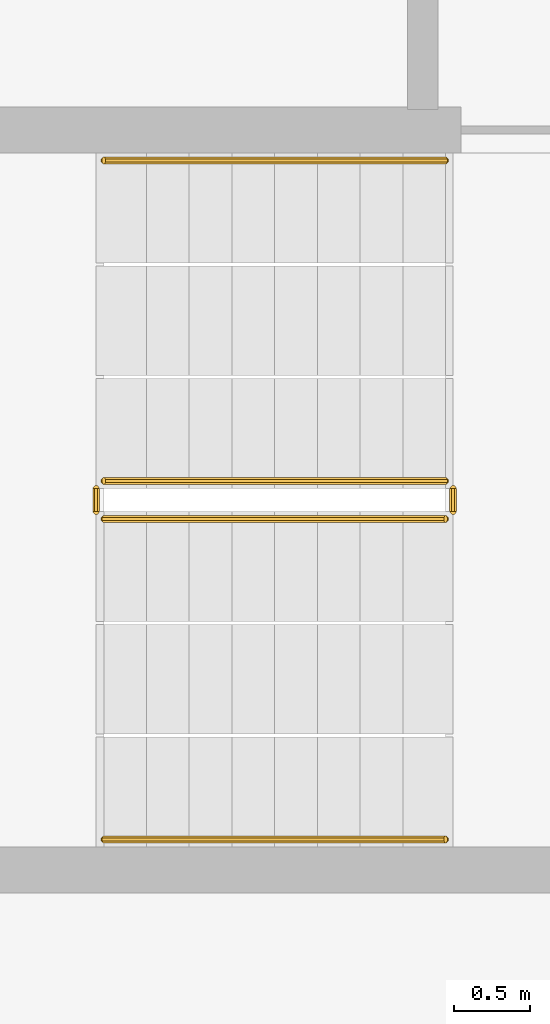
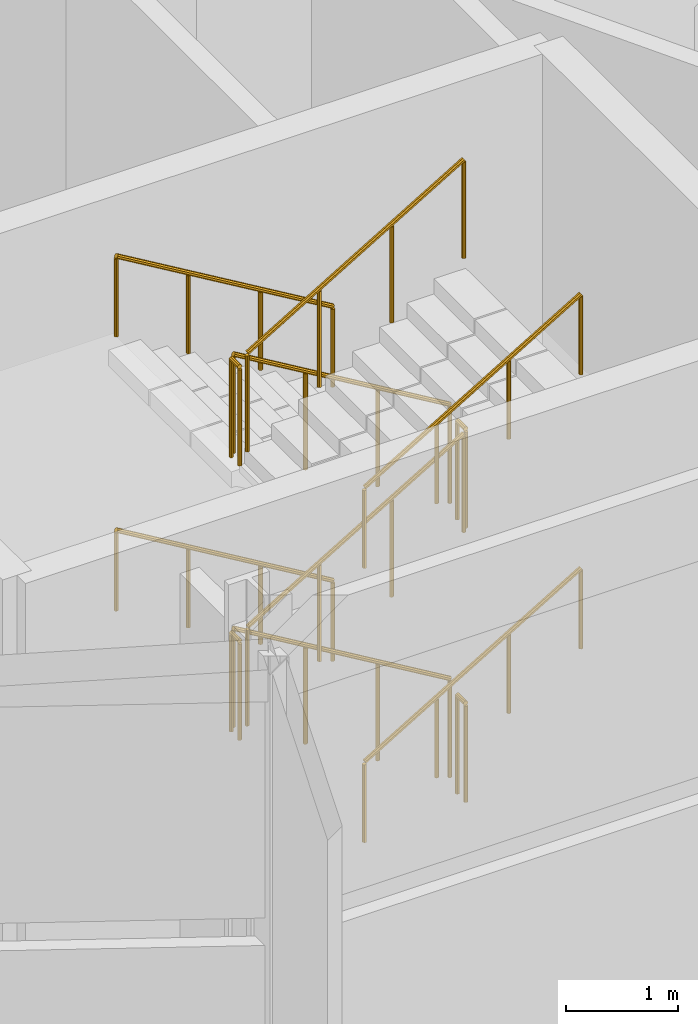
# One storey, part 22 of 33: 12 railings.
"""IFC4 building model written with IfcOpenShell, lengths in metres."""

import ifcopenshell
import ifcopenshell.guid

model = None  # the IFC model being written
_history = None  # IfcOwnerHistory: only IFC2X3 demands one
_inside = {}  # id of a spatial element -> (the spatial element, [elements in it])
_under = {}  # id of a project, library or spatial element -> (it, [spatial elements below it])
_declared = {}  # id of a project -> (the project, [libraries it declares])
_typed = {}  # id of a type object -> (the type object, [elements of that type])
_made_of = {}  # id of a material, layer set ... -> (it, [elements and type objects made of it])


def new_model(schema):
    """Start an empty IFC model of exactly this schema.

    Asked for "IFC4X3", IfcOpenShell would pick the latest addendum, in which some entities
    have other attributes; the version numbers below select the first issue.
    IFC2X3 requires an IfcOwnerHistory on every rooted entity: one is made here for all.
    """
    global model, _history
    if schema == "IFC4X3":
        model = ifcopenshell.file(schema_version=(4, 3, 0, 0))
    else:
        model = ifcopenshell.file(schema=schema)
    _inside.clear()
    _under.clear()
    _declared.clear()
    _typed.clear()
    _made_of.clear()
    _history = None
    if model.schema == "IFC2X3":
        org = make("IfcOrganization", Name="unknown")
        user = make(
            "IfcPersonAndOrganization",
            ThePerson=make("IfcPerson", FamilyName="unknown"),
            TheOrganization=org,
        )
        app = make(
            "IfcApplication",
            ApplicationDeveloper=org,
            Version="unknown",
            ApplicationFullName="unknown",
            ApplicationIdentifier="unknown",
        )
        _history = make(
            "IfcOwnerHistory",
            OwningUser=user,
            OwningApplication=app,
            ChangeAction="ADDED",
            CreationDate=0,
        )
    return model


def make(cls, **values):
    """One entity of the class cls with the attributes given. An attribute that is None is left unset."""
    return model.create_entity(
        cls, **{name: value for name, value in values.items() if value is not None}
    )


def rooted(cls, **values):
    """An entity with a GlobalId (a new one), such as an element, a storey or a relation."""
    return make(cls, GlobalId=ifcopenshell.guid.new(), OwnerHistory=_history, **values)


def si_unit(unit_type, name, prefix=None):
    """IfcSIUnit, for example si_unit("LENGTHUNIT", "METRE", prefix="MILLI")."""
    return make("IfcSIUnit", UnitType=unit_type, Prefix=prefix, Name=name)


def assignment(units):
    """IfcUnitAssignment: the units of a project."""
    return None if units is None else make("IfcUnitAssignment", Units=units)


def point(xyz):
    """IfcCartesianPoint."""
    return None if xyz is None else make("IfcCartesianPoint", Coordinates=xyz)


def direction(xyz):
    """IfcDirection."""
    return None if xyz is None else make("IfcDirection", DirectionRatios=xyz)


def frame(location, z_axis=None, x_axis=None):
    """IfcAxis2Placement3D, a coordinate frame: its origin and axes. An axis left out is left unset."""
    return make(
        "IfcAxis2Placement3D",
        Location=point(location),
        Axis=direction(z_axis),
        RefDirection=direction(x_axis),
    )


def origin():
    """The frame at (0, 0, 0) with its axes left unset."""
    return frame((0.0, 0.0, 0.0))


def place(relative_to, where):
    """IfcLocalPlacement: puts the frame where relative to a parent placement (None: the world)."""
    return make(
        "IfcLocalPlacement", PlacementRelTo=relative_to, RelativePlacement=where
    )


def context(
    kind, dimensions, precision=None, world=None, true_north=None, identifier=None
):
    """IfcGeometricRepresentationContext, for example the 3D "Model" context."""
    return make(
        "IfcGeometricRepresentationContext",
        ContextIdentifier=identifier,
        ContextType=kind,
        CoordinateSpaceDimension=dimensions,
        Precision=precision,
        WorldCoordinateSystem=world,
        TrueNorth=true_north,
    )


def subcontext(parent, identifier, kind, view, scale=None):
    """IfcGeometricRepresentationSubContext, for example "Body" below "Model"."""
    return make(
        "IfcGeometricRepresentationSubContext",
        ContextIdentifier=identifier,
        ContextType=kind,
        ParentContext=parent,
        TargetScale=scale,
        TargetView=view,
    )


def project(units=None, contexts=None):
    """IfcProject with its units and contexts."""
    return rooted(
        "IfcProject",
        Name="project",
        RepresentationContexts=contexts,
        UnitsInContext=assignment(units),
    )


def spatial(cls, under=None, at=None, **own):
    """A site, building, storey or space (cls), placed at a placement, below another one or the project."""
    s = rooted(cls, ObjectPlacement=at, **own)
    if under is not None:
        _under.setdefault(under.id(), (under, []))[1].append(s)
    return s


def polyline(points):
    """IfcPolyline through the points."""
    return make("IfcPolyline", Points=[point(p) for p in points])


def outline(outer, holes=None, kind="AREA"):
    """IfcArbitraryClosedProfileDef: a profile drawn as a closed curve; with holes, ...WithVoids."""
    if holes is None:
        return make("IfcArbitraryClosedProfileDef", ProfileType=kind, OuterCurve=outer)
    return make(
        "IfcArbitraryProfileDefWithVoids",
        ProfileType=kind,
        OuterCurve=outer,
        InnerCurves=holes,
    )


def extrude(swept, where, along, depth):
    """IfcExtrudedAreaSolid: the profile swept, set in the frame where, extruded along a direction by depth."""
    return make(
        "IfcExtrudedAreaSolid",
        SweptArea=swept,
        Position=where,
        ExtrudedDirection=direction(along),
        Depth=depth,
    )


def shape(context_of_items, identifier, shape_type, items):
    """IfcShapeRepresentation: the items that make up one representation, for example the "Body"."""
    return make(
        "IfcShapeRepresentation",
        ContextOfItems=context_of_items,
        RepresentationIdentifier=identifier,
        RepresentationType=shape_type,
        Items=items,
    )


def material(Name=None, Category=None):
    """IfcMaterial."""
    return make("IfcMaterial", Name=Name, Category=Category)


def made_of(thing, what):
    """Note that an element or type object is made of a material, layer set ...; save() writes the relation."""
    if what is not None:
        _made_of.setdefault(what.id(), (what, []))[1].append(thing)
    return thing


def type_object(cls, material=None, **own):
    """A type object (cls), such as IfcWallType, which elements share."""
    return made_of(rooted(cls, **own), material)


def element(
    cls,
    number,
    at=None,
    inside=None,
    cuts=None,
    type_object=None,
    material=None,
    context=None,
    identifier="Body",
    shape_type=None,
    held_by="IfcProductDefinitionShape",
    body=None,
    shapes=None,
    **own,
):
    """One element of the class cls, such as IfcWall. Its Tag is "e" and its number.

    at: its placement. inside: the storey or other place that contains it. cuts: it is an
    opening in that element (IfcRelVoidsElement). A single representation is given by context,
    identifier, shape_type and body (its items); several are given by shapes. held_by: the class
    of the entity that holds the representations. save() writes the other relations.
    """
    e = rooted(cls, Tag="e%d" % number, ObjectPlacement=at, **own)
    if body is not None:
        shapes = [shape(context, identifier, shape_type, body)]
    if shapes is not None:
        e.Representation = make(held_by, Representations=shapes)
    if inside is not None:
        _inside.setdefault(inside.id(), (inside, []))[1].append(e)
    if cuts is not None:
        rooted(
            "IfcRelVoidsElement", RelatingBuildingElement=cuts, RelatedOpeningElement=e
        )
    if type_object is not None:
        _typed.setdefault(type_object.id(), (type_object, []))[1].append(e)
    return made_of(e, material)


def aggregate(whole, parts):
    """IfcRelAggregates: a whole, such as a stair, and the parts it consists of."""
    return rooted("IfcRelAggregates", RelatingObject=whole, RelatedObjects=parts)


def save(model, path):
    """Write the relations noted so far, then the file.

    IfcRelAggregates (storeys below a building ...), IfcRelContainedInSpatialStructure (elements
    in a storey), IfcRelDefinesByType, IfcRelAssociatesMaterial and IfcRelDeclares: one each for
    every whole, place, type object, material and project.
    """
    for whole, parts in _under.values():
        aggregate(whole, parts)
    for where, things in _inside.values():
        rooted(
            "IfcRelContainedInSpatialStructure",
            RelatedElements=things,
            RelatingStructure=where,
        )
    for kind, things in _typed.values():
        rooted("IfcRelDefinesByType", RelatedObjects=things, RelatingType=kind)
    for what, things in _made_of.values():
        rooted("IfcRelAssociatesMaterial", RelatedObjects=things, RelatingMaterial=what)
    for by, libraries in _declared.values():
        rooted("IfcRelDeclares", RelatingContext=by, RelatedDefinitions=libraries)
    model.write(path)


model = new_model("IFC4")

# Units and contexts
model_context = context("Model", 3, precision=1e-05, world=origin(), true_north=direction((0.0, 1.0)))
body_context = subcontext(model_context, "Body", "Model", "MODEL_VIEW")
ifc_project = project(units=[si_unit("LENGTHUNIT", "METRE"), si_unit("AREAUNIT", "SQUARE_METRE"), si_unit("VOLUMEUNIT", "CUBIC_METRE"), si_unit("PLANEANGLEUNIT", "RADIAN"), si_unit("MASSUNIT", "GRAM", prefix="KILO")], contexts=[model_context])

# Site, building, storey
site_placement = place(None, origin())
site = spatial("IfcSite", under=ifc_project, at=site_placement, CompositionType="ELEMENT")
building_placement = place(site_placement, origin())
building = spatial("IfcBuilding", under=site, at=building_placement, Name="Cormorant Relay Tower", CompositionType="ELEMENT")
storey_placement = place(building_placement, frame((0.0, 0.0, 183.60009765625)))
storey = spatial("IfcBuildingStorey", under=building, at=storey_placement, Name="L39", CompositionType="ELEMENT", Elevation=183.60009765625)

# Railings
ifc_material_1 = material(Name="Steel ASTM A572 Grade 50 (Fy 345 MPa)", Category="steel")
railing_type_1 = type_object("IfcRailingType", Name="Stair guard 1100", PredefinedType="GUARDRAIL", material=ifc_material_1)
railing_1_placement = place(storey_placement, frame((1.60009765625, -18.27490234375, 0.16650390625)))
element("IfcRailing", 1, at=railing_1_placement, inside=storey, type_object=railing_type_1, Name="L39 RK1 stair guard 1", PredefinedType="GUARDRAIL", context=body_context, shape_type="SweptSolid", body=[
    extrude(outline(polyline([(0.022216796875, 0.00927734375), (0.00927734375, 0.022216796875), (-0.00927734375, 0.022216796875), (-0.022216796875, 0.00927734375), (-0.022216796875, -0.00927734375), (-0.00927734375, -0.022216796875), (0.00927734375, -0.022216796875), (0.022216796875, -0.00927734375), (0.022216796875, 0.00927734375)])), frame((0.0, 0.0, 1.076171875), z_axis=(-0.859264461869, 0.0, 0.511531606619), x_axis=(0.0, -1.0, 0.0)), (0.0, 0.0, 1.0), 2.60693359375),
    extrude(outline(polyline([(0.019287109375, 0.008056640625), (0.008056640625, 0.019287109375), (-0.008056640625, 0.019287109375), (-0.019287109375, 0.008056640625), (-0.019287109375, -0.008056640625), (-0.008056640625, -0.019287109375), (0.008056640625, -0.019287109375), (0.019287109375, -0.008056640625), (0.019287109375, 0.008056640625)])), origin(), (0.0, 0.0, 1.0), 1.052001953125),
    extrude(outline(polyline([(0.019287109375, 0.008056640625), (0.008056640625, 0.019287109375), (-0.008056640625, 0.019287109375), (-0.019287109375, 0.008056640625), (-0.019287109375, -0.008056640625), (-0.008056640625, -0.019287109375), (0.008056640625, -0.019287109375), (0.019287109375, -0.008056640625), (0.019287109375, 0.008056640625)])), frame((-0.74658203125, 0.0, 0.444580078125)), (0.0, 0.0, 1.0), 1.052001953125),
    extrude(outline(polyline([(0.019287109375, 0.008056640625), (0.008056640625, 0.019287109375), (-0.008056640625, 0.019287109375), (-0.019287109375, 0.008056640625), (-0.019287109375, -0.008056640625), (-0.008056640625, -0.019287109375), (0.008056640625, -0.019287109375), (0.019287109375, -0.008056640625), (0.019287109375, 0.008056640625)])), frame((-1.493408203125, 0.0, 0.888916015625)), (0.0, 0.0, 1.0), 1.052001953125),
    extrude(outline(polyline([(0.019287109375, 0.008056640625), (0.008056640625, 0.019287109375), (-0.008056640625, 0.019287109375), (-0.019287109375, 0.008056640625), (-0.019287109375, -0.008056640625), (-0.008056640625, -0.019287109375), (0.008056640625, -0.019287109375), (0.019287109375, -0.008056640625), (0.019287109375, 0.008056640625)])), frame((-2.239990234375, 0.0, 1.33349609375)), (0.0, 0.0, 1.0), 1.052001953125),
])
railing_2_placement = place(storey_placement, frame((-0.68994140625, -18.324951171875, 1.5)))
element("IfcRailing", 2, at=railing_2_placement, inside=storey, type_object=railing_type_1, Name="L39 RK1 stair guard 2", PredefinedType="GUARDRAIL", context=body_context, shape_type="SweptSolid", body=[
    extrude(outline(polyline([(0.022216796875, 0.00927734375), (0.00927734375, 0.022216796875), (-0.00927734375, 0.022216796875), (-0.022216796875, 0.00927734375), (-0.022216796875, -0.00927734375), (-0.00927734375, -0.022216796875), (0.00927734375, -0.022216796875), (0.022216796875, -0.00927734375), (0.022216796875, 0.00927734375)])), frame((0.0, 0.0, 1.076171875), z_axis=(0.0, -1.0, 0.0), x_axis=(1.0, 0.0, 0.0)), (0.0, 0.0, 1.0), 0.150146484375),
    extrude(outline(polyline([(0.019287109375, 0.008056640625), (0.008056640625, 0.019287109375), (-0.008056640625, 0.019287109375), (-0.019287109375, 0.008056640625), (-0.019287109375, -0.008056640625), (-0.008056640625, -0.019287109375), (0.008056640625, -0.019287109375), (0.019287109375, -0.008056640625), (0.019287109375, 0.008056640625)])), origin(), (0.0, 0.0, 1.0), 1.052001953125),
    extrude(outline(polyline([(0.019287109375, 0.008056640625), (0.008056640625, 0.019287109375), (-0.008056640625, 0.019287109375), (-0.019287109375, 0.008056640625), (-0.019287109375, -0.008056640625), (-0.008056640625, -0.019287109375), (0.008056640625, -0.019287109375), (0.019287109375, -0.008056640625), (0.019287109375, 0.008056640625)])), frame((0.0, -0.150146484375, 0.0)), (0.0, 0.0, 1.0), 1.052001953125),
])
railing_3_placement = place(storey_placement, frame((-0.639892578125, -18.52490234375, 1.66650390625)))
element("IfcRailing", 3, at=railing_3_placement, inside=storey, type_object=railing_type_1, Name="L39 RK1 stair guard 3", PredefinedType="GUARDRAIL", context=body_context, shape_type="SweptSolid", body=[
    extrude(outline(polyline([(0.022216796875, 0.00927734375), (0.00927734375, 0.022216796875), (-0.00927734375, 0.022216796875), (-0.022216796875, 0.00927734375), (-0.022216796875, -0.00927734375), (-0.00927734375, -0.022216796875), (0.00927734375, -0.022216796875), (0.022216796875, -0.00927734375), (0.022216796875, 0.00927734375)])), frame((0.0, 0.0, 1.076171875), z_axis=(0.859264461869, 0.0, 0.511531606619), x_axis=(0.0, 1.0, 0.0)), (0.0, 0.0, 1.0), 2.60693359375),
    extrude(outline(polyline([(0.019287109375, 0.008056640625), (0.008056640625, 0.019287109375), (-0.008056640625, 0.019287109375), (-0.019287109375, 0.008056640625), (-0.019287109375, -0.008056640625), (-0.008056640625, -0.019287109375), (0.008056640625, -0.019287109375), (0.019287109375, -0.008056640625), (0.019287109375, 0.008056640625)])), origin(), (0.0, 0.0, 1.0), 1.052001953125),
    extrude(outline(polyline([(0.019287109375, 0.008056640625), (0.008056640625, 0.019287109375), (-0.008056640625, 0.019287109375), (-0.019287109375, 0.008056640625), (-0.019287109375, -0.008056640625), (-0.008056640625, -0.019287109375), (0.008056640625, -0.019287109375), (0.019287109375, -0.008056640625), (0.019287109375, 0.008056640625)])), frame((0.74658203125, 0.0, 0.444580078125)), (0.0, 0.0, 1.0), 1.052001953125),
    extrude(outline(polyline([(0.019287109375, 0.008056640625), (0.008056640625, 0.019287109375), (-0.008056640625, 0.019287109375), (-0.019287109375, 0.008056640625), (-0.019287109375, -0.008056640625), (-0.008056640625, -0.019287109375), (0.008056640625, -0.019287109375), (0.019287109375, -0.008056640625), (0.019287109375, 0.008056640625)])), frame((1.493408203125, 0.0, 0.888916015625)), (0.0, 0.0, 1.0), 1.052001953125),
    extrude(outline(polyline([(0.019287109375, 0.008056640625), (0.008056640625, 0.019287109375), (-0.008056640625, 0.019287109375), (-0.019287109375, 0.008056640625), (-0.019287109375, -0.008056640625), (-0.008056640625, -0.019287109375), (0.008056640625, -0.019287109375), (0.019287109375, -0.008056640625), (0.019287109375, 0.008056640625)])), frame((2.239990234375, 0.0, 1.33349609375)), (0.0, 0.0, 1.0), 1.052001953125),
])
railing_4_placement = place(storey_placement, frame((1.64990234375, -18.324951171875, 3.0)))
element("IfcRailing", 4, at=railing_4_placement, inside=storey, type_object=railing_type_1, Name="L39 RK1 stair guard 4", PredefinedType="GUARDRAIL", context=body_context, shape_type="SweptSolid", body=[
    extrude(outline(polyline([(0.022216796875, 0.00927734375), (0.00927734375, 0.022216796875), (-0.00927734375, 0.022216796875), (-0.022216796875, 0.00927734375), (-0.022216796875, -0.00927734375), (-0.00927734375, -0.022216796875), (0.00927734375, -0.022216796875), (0.022216796875, -0.00927734375), (0.022216796875, 0.00927734375)])), frame((0.0, 0.0, 1.076171875), z_axis=(0.0, -1.0, 0.0), x_axis=(1.0, 0.0, 0.0)), (0.0, 0.0, 1.0), 0.150146484375),
    extrude(outline(polyline([(0.019287109375, 0.008056640625), (0.008056640625, 0.019287109375), (-0.008056640625, 0.019287109375), (-0.019287109375, 0.008056640625), (-0.019287109375, -0.008056640625), (-0.008056640625, -0.019287109375), (0.008056640625, -0.019287109375), (0.019287109375, -0.008056640625), (0.019287109375, 0.008056640625)])), origin(), (0.0, 0.0, 1.0), 1.052001953125),
    extrude(outline(polyline([(0.019287109375, 0.008056640625), (0.008056640625, 0.019287109375), (-0.008056640625, 0.019287109375), (-0.019287109375, 0.008056640625), (-0.019287109375, -0.008056640625), (-0.008056640625, -0.019287109375), (0.008056640625, -0.019287109375), (0.019287109375, -0.008056640625), (0.019287109375, 0.008056640625)])), frame((0.0, -0.150146484375, 0.0)), (0.0, 0.0, 1.0), 1.052001953125),
])
railing_5_placement = place(storey_placement, frame((1.60009765625, -18.27490234375, 3.16650390625)))
element("IfcRailing", 5, at=railing_5_placement, inside=storey, type_object=railing_type_1, Name="L39 RK1 stair guard 5", PredefinedType="GUARDRAIL", context=body_context, shape_type="SweptSolid", body=[
    extrude(outline(polyline([(0.022216796875, 0.00927734375), (0.00927734375, 0.022216796875), (-0.00927734375, 0.022216796875), (-0.022216796875, 0.00927734375), (-0.022216796875, -0.00927734375), (-0.00927734375, -0.022216796875), (0.00927734375, -0.022216796875), (0.022216796875, -0.00927734375), (0.022216796875, 0.00927734375)])), frame((0.0, 0.0, 1.076171875), z_axis=(-0.859264461869, 0.0, 0.511531606619), x_axis=(0.0, -1.0, 0.0)), (0.0, 0.0, 1.0), 2.60693359375),
    extrude(outline(polyline([(0.019287109375, 0.008056640625), (0.008056640625, 0.019287109375), (-0.008056640625, 0.019287109375), (-0.019287109375, 0.008056640625), (-0.019287109375, -0.008056640625), (-0.008056640625, -0.019287109375), (0.008056640625, -0.019287109375), (0.019287109375, -0.008056640625), (0.019287109375, 0.008056640625)])), origin(), (0.0, 0.0, 1.0), 1.052001953125),
    extrude(outline(polyline([(0.019287109375, 0.008056640625), (0.008056640625, 0.019287109375), (-0.008056640625, 0.019287109375), (-0.019287109375, 0.008056640625), (-0.019287109375, -0.008056640625), (-0.008056640625, -0.019287109375), (0.008056640625, -0.019287109375), (0.019287109375, -0.008056640625), (0.019287109375, 0.008056640625)])), frame((-0.74658203125, 0.0, 0.444580078125)), (0.0, 0.0, 1.0), 1.052001953125),
    extrude(outline(polyline([(0.019287109375, 0.008056640625), (0.008056640625, 0.019287109375), (-0.008056640625, 0.019287109375), (-0.019287109375, 0.008056640625), (-0.019287109375, -0.008056640625), (-0.008056640625, -0.019287109375), (0.008056640625, -0.019287109375), (0.019287109375, -0.008056640625), (0.019287109375, 0.008056640625)])), frame((-1.493408203125, 0.0, 0.888916015625)), (0.0, 0.0, 1.0), 1.052001953125),
    extrude(outline(polyline([(0.019287109375, 0.008056640625), (0.008056640625, 0.019287109375), (-0.008056640625, 0.019287109375), (-0.019287109375, 0.008056640625), (-0.019287109375, -0.008056640625), (-0.008056640625, -0.019287109375), (0.008056640625, -0.019287109375), (0.019287109375, -0.008056640625), (0.019287109375, 0.008056640625)])), frame((-2.239990234375, 0.0, 1.33349609375)), (0.0, 0.0, 1.0), 1.052001953125),
])
railing_6_placement = place(storey_placement, frame((-0.68994140625, -18.324951171875, 4.5)))
element("IfcRailing", 6, at=railing_6_placement, inside=storey, type_object=railing_type_1, Name="L39 RK1 stair guard 6", PredefinedType="GUARDRAIL", context=body_context, shape_type="SweptSolid", body=[
    extrude(outline(polyline([(0.022216796875, 0.00927734375), (0.00927734375, 0.022216796875), (-0.00927734375, 0.022216796875), (-0.022216796875, 0.00927734375), (-0.022216796875, -0.00927734375), (-0.00927734375, -0.022216796875), (0.00927734375, -0.022216796875), (0.022216796875, -0.00927734375), (0.022216796875, 0.00927734375)])), frame((0.0, 0.0, 1.076171875), z_axis=(0.0, -1.0, 0.0), x_axis=(1.0, 0.0, 0.0)), (0.0, 0.0, 1.0), 0.150146484375),
    extrude(outline(polyline([(0.019287109375, 0.008056640625), (0.008056640625, 0.019287109375), (-0.008056640625, 0.019287109375), (-0.019287109375, 0.008056640625), (-0.019287109375, -0.008056640625), (-0.008056640625, -0.019287109375), (0.008056640625, -0.019287109375), (0.019287109375, -0.008056640625), (0.019287109375, 0.008056640625)])), origin(), (0.0, 0.0, 1.0), 1.052001953125),
    extrude(outline(polyline([(0.019287109375, 0.008056640625), (0.008056640625, 0.019287109375), (-0.008056640625, 0.019287109375), (-0.019287109375, 0.008056640625), (-0.019287109375, -0.008056640625), (-0.008056640625, -0.019287109375), (0.008056640625, -0.019287109375), (0.019287109375, -0.008056640625), (0.019287109375, 0.008056640625)])), frame((0.0, -0.150146484375, 0.0)), (0.0, 0.0, 1.0), 1.052001953125),
])
railing_7_placement = place(storey_placement, frame((-0.639892578125, -18.52490234375, 4.66650390625)))
element("IfcRailing", 7, at=railing_7_placement, inside=storey, type_object=railing_type_1, Name="L39 RK1 stair guard 7", PredefinedType="GUARDRAIL", context=body_context, shape_type="SweptSolid", body=[
    extrude(outline(polyline([(0.022216796875, 0.00927734375), (0.00927734375, 0.022216796875), (-0.00927734375, 0.022216796875), (-0.022216796875, 0.00927734375), (-0.022216796875, -0.00927734375), (-0.00927734375, -0.022216796875), (0.00927734375, -0.022216796875), (0.022216796875, -0.00927734375), (0.022216796875, 0.00927734375)])), frame((0.0, 0.0, 1.076171875), z_axis=(0.859264461869, 0.0, 0.511531606619), x_axis=(0.0, 1.0, 0.0)), (0.0, 0.0, 1.0), 2.60693359375),
    extrude(outline(polyline([(0.019287109375, 0.008056640625), (0.008056640625, 0.019287109375), (-0.008056640625, 0.019287109375), (-0.019287109375, 0.008056640625), (-0.019287109375, -0.008056640625), (-0.008056640625, -0.019287109375), (0.008056640625, -0.019287109375), (0.019287109375, -0.008056640625), (0.019287109375, 0.008056640625)])), origin(), (0.0, 0.0, 1.0), 1.052001953125),
    extrude(outline(polyline([(0.019287109375, 0.008056640625), (0.008056640625, 0.019287109375), (-0.008056640625, 0.019287109375), (-0.019287109375, 0.008056640625), (-0.019287109375, -0.008056640625), (-0.008056640625, -0.019287109375), (0.008056640625, -0.019287109375), (0.019287109375, -0.008056640625), (0.019287109375, 0.008056640625)])), frame((0.74658203125, 0.0, 0.444580078125)), (0.0, 0.0, 1.0), 1.052001953125),
    extrude(outline(polyline([(0.019287109375, 0.008056640625), (0.008056640625, 0.019287109375), (-0.008056640625, 0.019287109375), (-0.019287109375, 0.008056640625), (-0.019287109375, -0.008056640625), (-0.008056640625, -0.019287109375), (0.008056640625, -0.019287109375), (0.019287109375, -0.008056640625), (0.019287109375, 0.008056640625)])), frame((1.493408203125, 0.0, 0.888916015625)), (0.0, 0.0, 1.0), 1.052001953125),
    extrude(outline(polyline([(0.019287109375, 0.008056640625), (0.008056640625, 0.019287109375), (-0.008056640625, 0.019287109375), (-0.019287109375, 0.008056640625), (-0.019287109375, -0.008056640625), (-0.008056640625, -0.019287109375), (0.008056640625, -0.019287109375), (0.019287109375, -0.008056640625), (0.019287109375, 0.008056640625)])), frame((2.239990234375, 0.0, 1.33349609375)), (0.0, 0.0, 1.0), 1.052001953125),
])
railing_8_placement = place(storey_placement, frame((1.64990234375, -18.324951171875, 0.0)))
element("IfcRailing", 8, at=railing_8_placement, inside=storey, type_object=railing_type_1, Name="L39 RK1 stair guard 8", PredefinedType="GUARDRAIL", context=body_context, shape_type="SweptSolid", body=[
    extrude(outline(polyline([(0.022216796875, 0.00927734375), (0.00927734375, 0.022216796875), (-0.00927734375, 0.022216796875), (-0.022216796875, 0.00927734375), (-0.022216796875, -0.00927734375), (-0.00927734375, -0.022216796875), (0.00927734375, -0.022216796875), (0.022216796875, -0.00927734375), (0.022216796875, 0.00927734375)])), frame((0.0, 0.0, 1.076171875), z_axis=(0.0, -1.0, 0.0), x_axis=(1.0, 0.0, 0.0)), (0.0, 0.0, 1.0), 0.150146484375),
    extrude(outline(polyline([(0.019287109375, 0.008056640625), (0.008056640625, 0.019287109375), (-0.008056640625, 0.019287109375), (-0.019287109375, 0.008056640625), (-0.019287109375, -0.008056640625), (-0.008056640625, -0.019287109375), (0.008056640625, -0.019287109375), (0.019287109375, -0.008056640625), (0.019287109375, 0.008056640625)])), origin(), (0.0, 0.0, 1.0), 1.052001953125),
    extrude(outline(polyline([(0.019287109375, 0.008056640625), (0.008056640625, 0.019287109375), (-0.008056640625, 0.019287109375), (-0.019287109375, 0.008056640625), (-0.019287109375, -0.008056640625), (-0.008056640625, -0.019287109375), (0.008056640625, -0.019287109375), (0.019287109375, -0.008056640625), (0.019287109375, 0.008056640625)])), frame((0.0, -0.150146484375, 0.0)), (0.0, 0.0, 1.0), 1.052001953125),
])
ifc_material_2 = material(Name="Steel ASTM A572 Grade 50 (Fy 345 MPa)", Category="steel")
railing_type_2 = type_object("IfcRailingType", Name="Stair handrail 900", PredefinedType="HANDRAIL", material=ifc_material_2)
railing_9_placement = place(storey_placement, frame((1.60009765625, -16.175048828125, 0.16650390625)))
element("IfcRailing", 9, at=railing_9_placement, inside=storey, type_object=railing_type_2, Name="L39 RK1 stair handrail 1", PredefinedType="HANDRAIL", context=body_context, shape_type="SweptSolid", body=[
    extrude(outline(polyline([(0.022216796875, 0.00927734375), (0.00927734375, 0.022216796875), (-0.00927734375, 0.022216796875), (-0.022216796875, 0.00927734375), (-0.022216796875, -0.00927734375), (-0.00927734375, -0.022216796875), (0.00927734375, -0.022216796875), (0.022216796875, -0.00927734375), (0.022216796875, 0.00927734375)])), frame((0.0, 0.0, 0.8759765625), z_axis=(-0.859264461869, 0.0, 0.511531606619), x_axis=(0.0, -1.0, 0.0)), (0.0, 0.0, 1.0), 2.60693359375),
    extrude(outline(polyline([(0.019287109375, 0.008056640625), (0.008056640625, 0.019287109375), (-0.008056640625, 0.019287109375), (-0.019287109375, 0.008056640625), (-0.019287109375, -0.008056640625), (-0.008056640625, -0.019287109375), (0.008056640625, -0.019287109375), (0.019287109375, -0.008056640625), (0.019287109375, 0.008056640625)])), origin(), (0.0, 0.0, 1.0), 0.851806640625),
    extrude(outline(polyline([(0.019287109375, 0.008056640625), (0.008056640625, 0.019287109375), (-0.008056640625, 0.019287109375), (-0.019287109375, 0.008056640625), (-0.019287109375, -0.008056640625), (-0.008056640625, -0.019287109375), (0.008056640625, -0.019287109375), (0.019287109375, -0.008056640625), (0.019287109375, 0.008056640625)])), frame((-0.74658203125, 0.0, 0.444580078125)), (0.0, 0.0, 1.0), 0.851806640625),
    extrude(outline(polyline([(0.019287109375, 0.008056640625), (0.008056640625, 0.019287109375), (-0.008056640625, 0.019287109375), (-0.019287109375, 0.008056640625), (-0.019287109375, -0.008056640625), (-0.008056640625, -0.019287109375), (0.008056640625, -0.019287109375), (0.019287109375, -0.008056640625), (0.019287109375, 0.008056640625)])), frame((-1.493408203125, 0.0, 0.888916015625)), (0.0, 0.0, 1.0), 0.851806640625),
    extrude(outline(polyline([(0.019287109375, 0.008056640625), (0.008056640625, 0.019287109375), (-0.008056640625, 0.019287109375), (-0.019287109375, 0.008056640625), (-0.019287109375, -0.008056640625), (-0.008056640625, -0.019287109375), (0.008056640625, -0.019287109375), (0.019287109375, -0.008056640625), (0.019287109375, 0.008056640625)])), frame((-2.239990234375, 0.0, 1.33349609375)), (0.0, 0.0, 1.0), 0.851806640625),
])
railing_10_placement = place(storey_placement, frame((-0.639892578125, -20.625, 1.66650390625)))
element("IfcRailing", 10, at=railing_10_placement, inside=storey, type_object=railing_type_2, Name="L39 RK1 stair handrail 2", PredefinedType="HANDRAIL", context=body_context, shape_type="SweptSolid", body=[
    extrude(outline(polyline([(0.022216796875, 0.00927734375), (0.00927734375, 0.022216796875), (-0.00927734375, 0.022216796875), (-0.022216796875, 0.00927734375), (-0.022216796875, -0.00927734375), (-0.00927734375, -0.022216796875), (0.00927734375, -0.022216796875), (0.022216796875, -0.00927734375), (0.022216796875, 0.00927734375)])), frame((0.0, 0.0, 0.8759765625), z_axis=(0.859264461869, 0.0, 0.511531606619), x_axis=(0.0, 1.0, 0.0)), (0.0, 0.0, 1.0), 2.60693359375),
    extrude(outline(polyline([(0.019287109375, 0.008056640625), (0.008056640625, 0.019287109375), (-0.008056640625, 0.019287109375), (-0.019287109375, 0.008056640625), (-0.019287109375, -0.008056640625), (-0.008056640625, -0.019287109375), (0.008056640625, -0.019287109375), (0.019287109375, -0.008056640625), (0.019287109375, 0.008056640625)])), origin(), (0.0, 0.0, 1.0), 0.851806640625),
    extrude(outline(polyline([(0.019287109375, 0.008056640625), (0.008056640625, 0.019287109375), (-0.008056640625, 0.019287109375), (-0.019287109375, 0.008056640625), (-0.019287109375, -0.008056640625), (-0.008056640625, -0.019287109375), (0.008056640625, -0.019287109375), (0.019287109375, -0.008056640625), (0.019287109375, 0.008056640625)])), frame((0.74658203125, 0.0, 0.444580078125)), (0.0, 0.0, 1.0), 0.851806640625),
    extrude(outline(polyline([(0.019287109375, 0.008056640625), (0.008056640625, 0.019287109375), (-0.008056640625, 0.019287109375), (-0.019287109375, 0.008056640625), (-0.019287109375, -0.008056640625), (-0.008056640625, -0.019287109375), (0.008056640625, -0.019287109375), (0.019287109375, -0.008056640625), (0.019287109375, 0.008056640625)])), frame((1.493408203125, 0.0, 0.888916015625)), (0.0, 0.0, 1.0), 0.851806640625),
    extrude(outline(polyline([(0.019287109375, 0.008056640625), (0.008056640625, 0.019287109375), (-0.008056640625, 0.019287109375), (-0.019287109375, 0.008056640625), (-0.019287109375, -0.008056640625), (-0.008056640625, -0.019287109375), (0.008056640625, -0.019287109375), (0.019287109375, -0.008056640625), (0.019287109375, 0.008056640625)])), frame((2.239990234375, 0.0, 1.33349609375)), (0.0, 0.0, 1.0), 0.851806640625),
])
railing_11_placement = place(storey_placement, frame((1.60009765625, -16.175048828125, 3.16650390625)))
element("IfcRailing", 11, at=railing_11_placement, inside=storey, type_object=railing_type_2, Name="L39 RK1 stair handrail 3", PredefinedType="HANDRAIL", context=body_context, shape_type="SweptSolid", body=[
    extrude(outline(polyline([(0.022216796875, 0.00927734375), (0.00927734375, 0.022216796875), (-0.00927734375, 0.022216796875), (-0.022216796875, 0.00927734375), (-0.022216796875, -0.00927734375), (-0.00927734375, -0.022216796875), (0.00927734375, -0.022216796875), (0.022216796875, -0.00927734375), (0.022216796875, 0.00927734375)])), frame((0.0, 0.0, 0.8759765625), z_axis=(-0.859264461869, 0.0, 0.511531606619), x_axis=(0.0, -1.0, 0.0)), (0.0, 0.0, 1.0), 2.60693359375),
    extrude(outline(polyline([(0.019287109375, 0.008056640625), (0.008056640625, 0.019287109375), (-0.008056640625, 0.019287109375), (-0.019287109375, 0.008056640625), (-0.019287109375, -0.008056640625), (-0.008056640625, -0.019287109375), (0.008056640625, -0.019287109375), (0.019287109375, -0.008056640625), (0.019287109375, 0.008056640625)])), origin(), (0.0, 0.0, 1.0), 0.851806640625),
    extrude(outline(polyline([(0.019287109375, 0.008056640625), (0.008056640625, 0.019287109375), (-0.008056640625, 0.019287109375), (-0.019287109375, 0.008056640625), (-0.019287109375, -0.008056640625), (-0.008056640625, -0.019287109375), (0.008056640625, -0.019287109375), (0.019287109375, -0.008056640625), (0.019287109375, 0.008056640625)])), frame((-0.74658203125, 0.0, 0.444580078125)), (0.0, 0.0, 1.0), 0.851806640625),
    extrude(outline(polyline([(0.019287109375, 0.008056640625), (0.008056640625, 0.019287109375), (-0.008056640625, 0.019287109375), (-0.019287109375, 0.008056640625), (-0.019287109375, -0.008056640625), (-0.008056640625, -0.019287109375), (0.008056640625, -0.019287109375), (0.019287109375, -0.008056640625), (0.019287109375, 0.008056640625)])), frame((-1.493408203125, 0.0, 0.888916015625)), (0.0, 0.0, 1.0), 0.851806640625),
    extrude(outline(polyline([(0.019287109375, 0.008056640625), (0.008056640625, 0.019287109375), (-0.008056640625, 0.019287109375), (-0.019287109375, 0.008056640625), (-0.019287109375, -0.008056640625), (-0.008056640625, -0.019287109375), (0.008056640625, -0.019287109375), (0.019287109375, -0.008056640625), (0.019287109375, 0.008056640625)])), frame((-2.239990234375, 0.0, 1.33349609375)), (0.0, 0.0, 1.0), 0.851806640625),
])
railing_12_placement = place(storey_placement, frame((-0.639892578125, -20.625, 4.66650390625)))
element("IfcRailing", 12, at=railing_12_placement, inside=storey, type_object=railing_type_2, Name="L39 RK1 stair handrail 4", PredefinedType="HANDRAIL", context=body_context, shape_type="SweptSolid", body=[
    extrude(outline(polyline([(0.022216796875, 0.00927734375), (0.00927734375, 0.022216796875), (-0.00927734375, 0.022216796875), (-0.022216796875, 0.00927734375), (-0.022216796875, -0.00927734375), (-0.00927734375, -0.022216796875), (0.00927734375, -0.022216796875), (0.022216796875, -0.00927734375), (0.022216796875, 0.00927734375)])), frame((0.0, 0.0, 0.8759765625), z_axis=(0.859264461869, 0.0, 0.511531606619), x_axis=(0.0, 1.0, 0.0)), (0.0, 0.0, 1.0), 2.60693359375),
    extrude(outline(polyline([(0.019287109375, 0.008056640625), (0.008056640625, 0.019287109375), (-0.008056640625, 0.019287109375), (-0.019287109375, 0.008056640625), (-0.019287109375, -0.008056640625), (-0.008056640625, -0.019287109375), (0.008056640625, -0.019287109375), (0.019287109375, -0.008056640625), (0.019287109375, 0.008056640625)])), origin(), (0.0, 0.0, 1.0), 0.851806640625),
    extrude(outline(polyline([(0.019287109375, 0.008056640625), (0.008056640625, 0.019287109375), (-0.008056640625, 0.019287109375), (-0.019287109375, 0.008056640625), (-0.019287109375, -0.008056640625), (-0.008056640625, -0.019287109375), (0.008056640625, -0.019287109375), (0.019287109375, -0.008056640625), (0.019287109375, 0.008056640625)])), frame((0.74658203125, 0.0, 0.444580078125)), (0.0, 0.0, 1.0), 0.851806640625),
    extrude(outline(polyline([(0.019287109375, 0.008056640625), (0.008056640625, 0.019287109375), (-0.008056640625, 0.019287109375), (-0.019287109375, 0.008056640625), (-0.019287109375, -0.008056640625), (-0.008056640625, -0.019287109375), (0.008056640625, -0.019287109375), (0.019287109375, -0.008056640625), (0.019287109375, 0.008056640625)])), frame((1.493408203125, 0.0, 0.888916015625)), (0.0, 0.0, 1.0), 0.851806640625),
    extrude(outline(polyline([(0.019287109375, 0.008056640625), (0.008056640625, 0.019287109375), (-0.008056640625, 0.019287109375), (-0.019287109375, 0.008056640625), (-0.019287109375, -0.008056640625), (-0.008056640625, -0.019287109375), (0.008056640625, -0.019287109375), (0.019287109375, -0.008056640625), (0.019287109375, 0.008056640625)])), frame((2.239990234375, 0.0, 1.33349609375)), (0.0, 0.0, 1.0), 0.851806640625),
])

save(model, "model.ifc")
